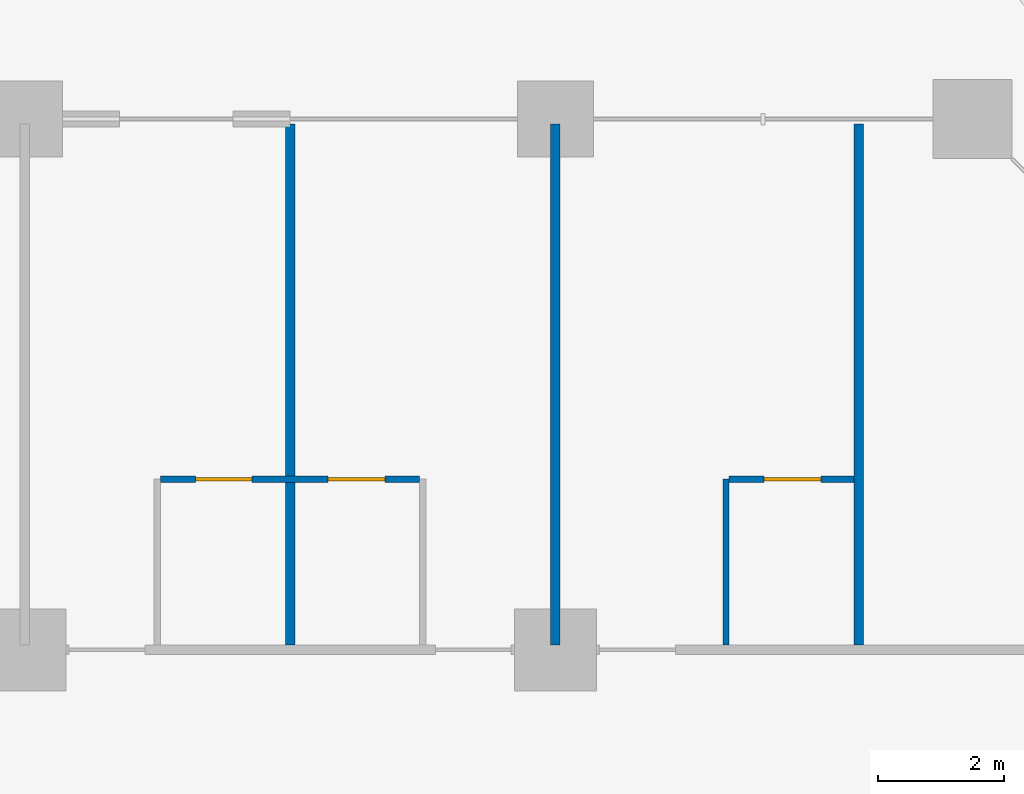
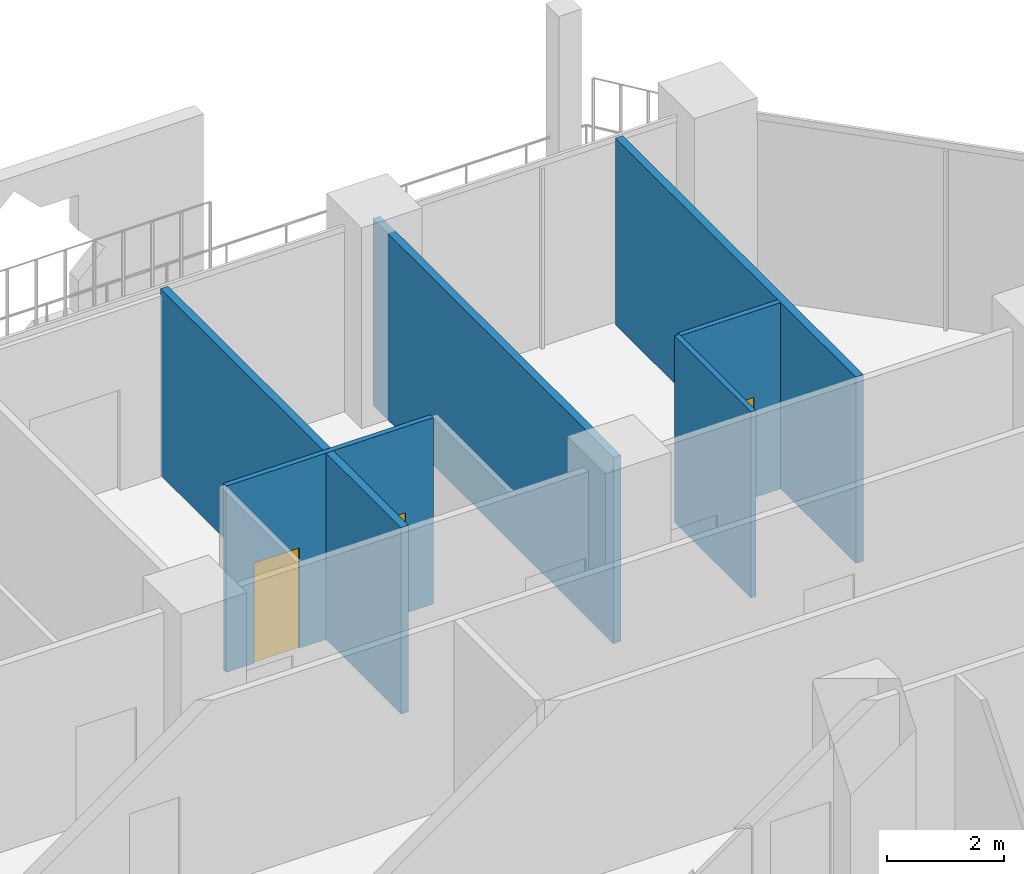
# One storey, part 19 of 28: 6 walls, 3 doors, 3 openings.
"""IFC4 building model written with IfcOpenShell, lengths in metres."""

from ifc_helpers import new_model, si_unit, direction, frame, frame_2d, origin, place, context, subcontext, project, spatial, rectangle, extrude, material, layer, layer_set, type_object, element, fill, save


model = new_model("IFC4")

# Units and contexts
model_context = context("Model", 3, precision=1e-05, world=origin(), true_north=direction((0.0, 1.0)))
body_context = subcontext(model_context, "Body", "Model", "MODEL_VIEW")
ifc_project = project(units=[si_unit("LENGTHUNIT", "METRE"), si_unit("AREAUNIT", "SQUARE_METRE"), si_unit("VOLUMEUNIT", "CUBIC_METRE"), si_unit("PLANEANGLEUNIT", "RADIAN"), si_unit("MASSUNIT", "GRAM", prefix="KILO")], contexts=[model_context])

# Site, building, storey
site_placement = place(None, origin())
site = spatial("IfcSite", under=ifc_project, at=site_placement, CompositionType="ELEMENT")
building_placement = place(site_placement, origin())
building = spatial("IfcBuilding", under=site, at=building_placement, Name="Kawkab Arch Medical Tower", CompositionType="ELEMENT")
storey_placement = place(building_placement, frame((0.0, 0.0, 68.60009765625)))
storey = spatial("IfcBuildingStorey", under=building, at=storey_placement, Name="L15", CompositionType="ELEMENT", Elevation=68.60009765625)

# Wall, openings, doors
ifc_material_1 = material(Name="Gypsum board partition on steel studs", Category="steel")
ifc_layer_1 = layer(ifc_material_1, 0.10009765625)
ifc_layer_set_1 = layer_set([ifc_layer_1], Name="Gypsum board partition on steel studs")
wall_type_1 = type_object("IfcWallType", Name="Partition 100", PredefinedType="PARTITIONING", material=ifc_layer_set_1)
wall_1_placement = place(storey_placement, frame((60.949951171875, -5.699951171875, 0.0), z_axis=(0.0, 0.0, 1.0), x_axis=(1.0, 0.0, 0.0)))
wall_1 = element("IfcWall", 1, at=wall_1_placement, inside=storey, type_object=wall_type_1, Name="Partition 100 w016", PredefinedType="PARTITIONING", context=body_context, shape_type="SweptSolid", body=[
    extrude(rectangle(XDim=4.10009765625, YDim=0.10009765625, at=frame_2d((2.050048828125, 0.0))), origin(), (0.0, 0.0, 1.0), 3.89990234375),
])
opening_1_placement = place(wall_1_placement, frame((0.550048828125, 0.0, 0.0)))
opening_1 = element("IfcOpeningElement", 2, at=opening_1_placement, cuts=wall_1, Name="Opening W15A-011", PredefinedType="OPENING", context=body_context, shape_type="SweptSolid", body=[
    extrude(rectangle(XDim=0.89990234375, YDim=2.10009765625, at=frame_2d((0.449951171875, 1.050048828125))), frame((0.0, 0.06005859375, 0.0), z_axis=(0.0, -1.0, 0.0), x_axis=(1.0, 0.0, 0.0)), (0.0, 0.0, 1.0), 0.1201171875),
])
opening_2_placement = place(wall_1_placement, frame((2.64990234375, 0.0, 0.0)))
opening_2 = element("IfcOpeningElement", 3, at=opening_2_placement, cuts=wall_1, Name="Opening W15A-012", PredefinedType="OPENING", context=body_context, shape_type="SweptSolid", body=[
    extrude(rectangle(XDim=0.89990234375, YDim=2.10009765625, at=frame_2d((0.449951171875, 1.050048828125))), frame((0.0, 0.06005859375, 0.0), z_axis=(0.0, -1.0, 0.0), x_axis=(1.0, 0.0, 0.0)), (0.0, 0.0, 1.0), 0.1201171875),
])
ifc_material_2 = material(Name="Timber door leaf", Category="wood")
door_type = type_object("IfcDoorType", Name="Single door 900x2100", OperationType="NOTDEFINED", PredefinedType="DOOR", material=ifc_material_2)
door_1_placement = place(opening_1_placement, origin())
door_1 = element("IfcDoor", 4, at=door_1_placement, inside=storey, type_object=door_type, Name="Door W15A-011", OperationType="SINGLE_SWING_LEFT", OverallHeight=2.10009765625, OverallWidth=0.89990234375, PredefinedType="DOOR", context=body_context, shape_type="SweptSolid", body=[
    extrude(rectangle(XDim=0.89990234375, YDim=2.10009765625, at=frame_2d((0.449951171875, 1.050048828125))), frame((0.0, 0.02490234375, 0.0), z_axis=(0.0, -1.0, 0.0), x_axis=(1.0, 0.0, 0.0)), (0.0, 0.0, 1.0), 0.050048828125),
])
fill(opening_1, door_1)
door_2_placement = place(opening_2_placement, origin())
door_2 = element("IfcDoor", 5, at=door_2_placement, inside=storey, type_object=door_type, Name="Door W15A-012", OperationType="SINGLE_SWING_RIGHT", OverallHeight=2.10009765625, OverallWidth=0.89990234375, PredefinedType="DOOR", context=body_context, shape_type="SweptSolid", body=[
    extrude(rectangle(XDim=0.89990234375, YDim=2.10009765625, at=frame_2d((0.449951171875, 1.050048828125))), frame((0.0, 0.02490234375, 0.0), z_axis=(0.0, -1.0, 0.0), x_axis=(1.0, 0.0, 0.0)), (0.0, 0.0, 1.0), 0.050048828125),
])
fill(opening_2, door_2)

# Wall, opening, door
wall_2_placement = place(storey_placement, frame((69.949951171875, -5.699951171875, 0.0), z_axis=(0.0, 0.0, 1.0), x_axis=(1.0, 0.0, 0.0)))
wall_2 = element("IfcWall", 6, at=wall_2_placement, inside=storey, type_object=wall_type_1, Name="Partition 100 w017", PredefinedType="PARTITIONING", context=body_context, shape_type="SweptSolid", body=[
    extrude(rectangle(XDim=1.97509765625, YDim=0.10009765625, at=frame_2d((0.987548828125, 0.0))), origin(), (0.0, 0.0, 1.0), 3.89990234375),
])
opening_3_placement = place(wall_2_placement, frame((0.550048828125, 0.0, 0.0)))
opening_3 = element("IfcOpeningElement", 7, at=opening_3_placement, cuts=wall_2, Name="Opening W15A-013", PredefinedType="OPENING", context=body_context, shape_type="SweptSolid", body=[
    extrude(rectangle(XDim=0.89990234375, YDim=2.10009765625, at=frame_2d((0.449951171875, 1.050048828125))), frame((0.0, 0.06005859375, 0.0), z_axis=(0.0, -1.0, 0.0), x_axis=(1.0, 0.0, 0.0)), (0.0, 0.0, 1.0), 0.1201171875),
])
door_3_placement = place(opening_3_placement, origin())
door_3 = element("IfcDoor", 8, at=door_3_placement, inside=storey, type_object=door_type, Name="Door W15A-013", OperationType="SINGLE_SWING_RIGHT", OverallHeight=2.10009765625, OverallWidth=0.89990234375, PredefinedType="DOOR", context=body_context, shape_type="SweptSolid", body=[
    extrude(rectangle(XDim=0.89990234375, YDim=2.10009765625, at=frame_2d((0.449951171875, 1.050048828125))), frame((0.0, 0.02490234375, 0.0), z_axis=(0.0, -1.0, 0.0), x_axis=(1.0, 0.0, 0.0)), (0.0, 0.0, 1.0), 0.050048828125),
])
fill(opening_3, door_3)

# Walls
wall_3_placement = place(storey_placement, frame((69.89990234375, -8.324951171875, 0.0), z_axis=(0.0, 0.0, 1.0), x_axis=(0.0, 1.0, 0.0)))
element("IfcWall", 9, at=wall_3_placement, inside=storey, type_object=wall_type_1, Name="Partition 100 w035", PredefinedType="PARTITIONING", context=body_context, shape_type="SweptSolid", body=[
    extrude(rectangle(XDim=2.625, YDim=0.10009765625, at=frame_2d((1.3125, 0.0))), origin(), (0.0, 0.0, 1.0), 3.89990234375),
])
ifc_material_3 = material(Name="Gypsum board partition on steel studs, mineral wool", Category="steel")
ifc_layer_2 = layer(ifc_material_3, 0.14990234375)
ifc_layer_set_2 = layer_set([ifc_layer_2], Name="Gypsum board partition on steel studs, mineral wool")
wall_type_2 = type_object("IfcWallType", Name="Partition 150", PredefinedType="PARTITIONING", material=ifc_layer_set_2)
for number, where, z_axis, x_axis, name in (
    (10, (63.0, -8.324951171875, 0.0), (0.0, 0.0, 1.0), (0.0, 1.0, 0.0), "Partition 150 w095"),
    (11, (67.199951171875, -8.324951171875, 0.0), (0.0, 0.0, 1.0), (0.0, 1.0, 0.0), "Partition 150 w097"),
    (12, (72.0, -8.324951171875, 0.0), (0.0, 0.0, 1.0), (0.0, 1.0, 0.0), "Partition 150 w099"),
):
    element("IfcWall", number, at=place(storey_placement, frame(where, z_axis=z_axis, x_axis=x_axis)), inside=storey, type_object=wall_type_2, Name=name, PredefinedType="PARTITIONING", context=body_context, shape_type="SweptSolid", body=[
        extrude(rectangle(XDim=8.244873046875, YDim=0.14990234375, at=frame_2d((4.12255859375, 0.0))), origin(), (0.0, 0.0, 1.0), 3.89990234375),
    ])

save(model, "model.ifc")
